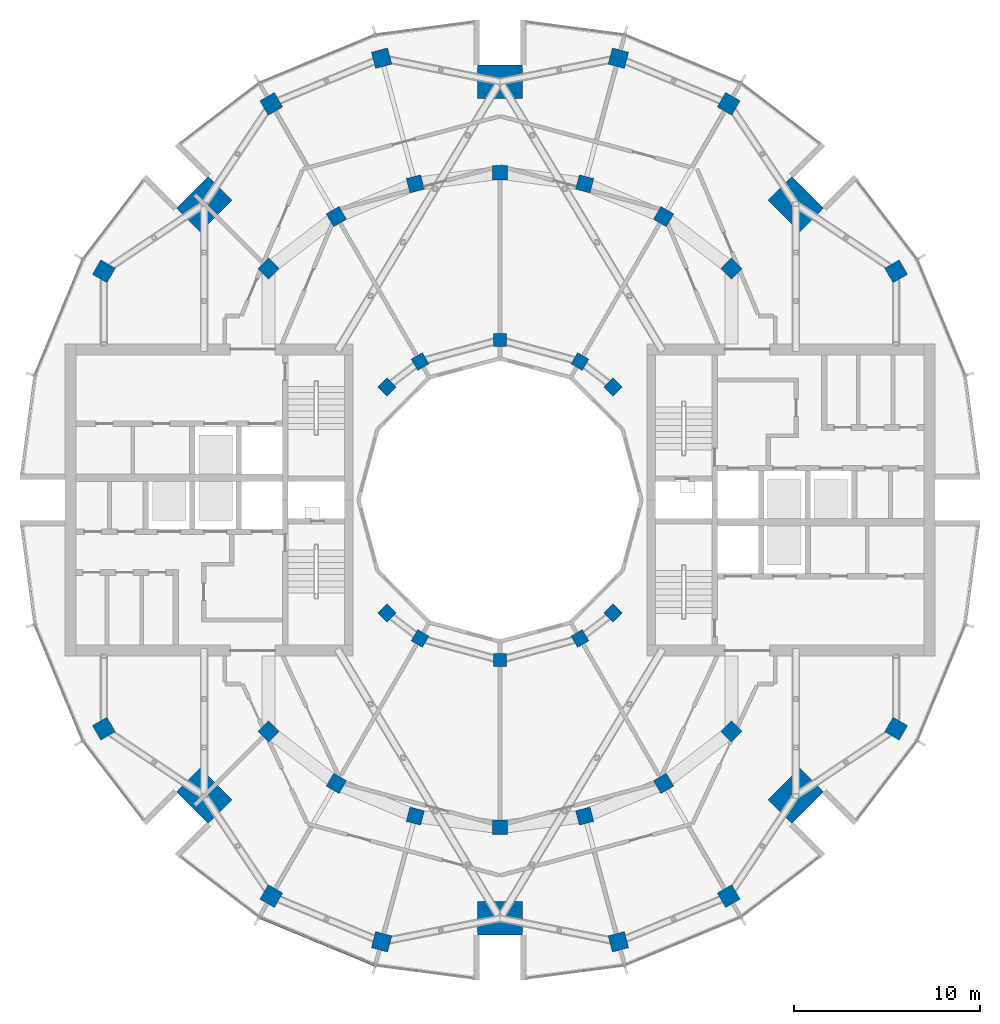
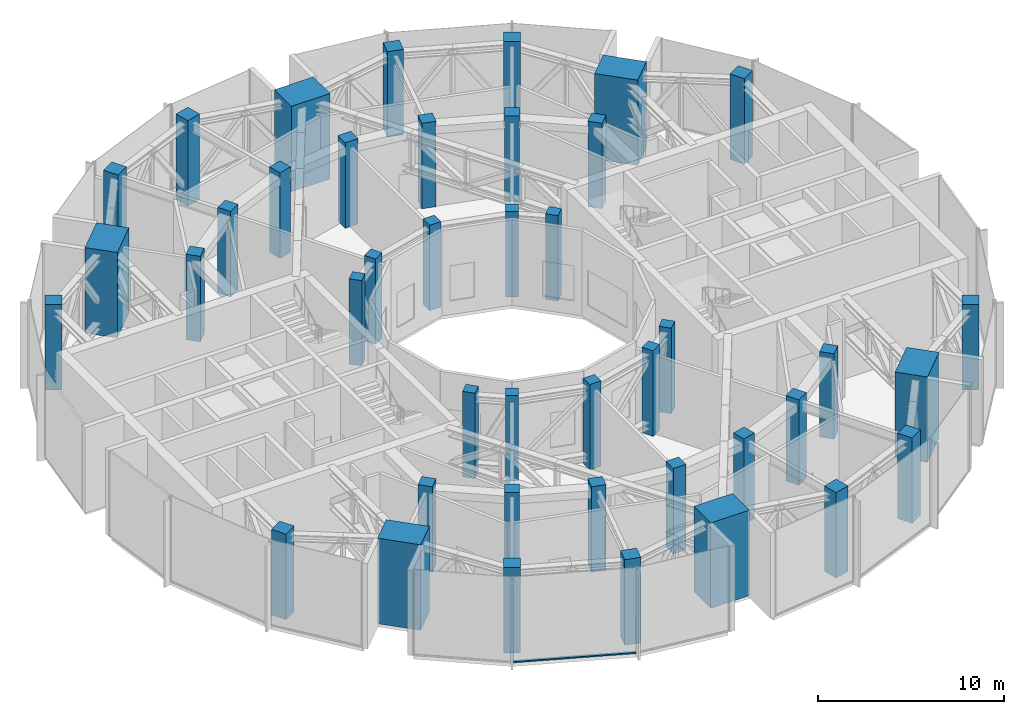
# One storey, part 1 of 18: 42 columns, 1 member, 1 element without a shape of its own.
"""IFC4 building model written with IfcOpenShell, lengths in metres."""

from ifc_helpers import new_model, si_unit, direction, frame, origin, origin_2d, place, context, subcontext, project, spatial, rectangle, extrude, material, layer, layer_set, material_profile, profile_set, type_object, element, aggregate, save


model = new_model("IFC4")

# Units and contexts
model_context = context("Model", 3, precision=1e-05, world=origin(), true_north=direction((0.0, 1.0)))
body_context = subcontext(model_context, "Body", "Model", "MODEL_VIEW")
ifc_project = project(units=[si_unit("LENGTHUNIT", "METRE"), si_unit("AREAUNIT", "SQUARE_METRE"), si_unit("VOLUMEUNIT", "CUBIC_METRE"), si_unit("PLANEANGLEUNIT", "RADIAN"), si_unit("MASSUNIT", "GRAM", prefix="KILO")], contexts=[model_context])

# Site, building, storey
site_placement = place(None, origin())
site = spatial("IfcSite", under=ifc_project, at=site_placement, CompositionType="ELEMENT")
building_placement = place(site_placement, origin())
building = spatial("IfcBuilding", under=site, at=building_placement, Name="Torre Brocal", CompositionType="ELEMENT")
storey_placement = place(building_placement, frame((0.0, 0.0, 206.89990234375)))
storey = spatial("IfcBuildingStorey", under=building, at=storey_placement, Name="L48", CompositionType="ELEMENT", Elevation=206.89990234375)

# Columns
ifc_material_1 = material(Name="Concrete C60", Category="concrete")
ifc_material_profile_1 = material_profile(ifc_material_1, rectangle(XDim=1.800048828125, YDim=2.39990234375, at=origin_2d()), Name="RC 1800X2400")
ifc_profile_set_1 = profile_set([ifc_material_profile_1], Name="Concrete C60")
column_type_1 = type_object("IfcColumnType", Name="RC COLUMN 1800X2400 C60", PredefinedType="COLUMN", material=ifc_profile_set_1)
for number, where, z_axis, x_axis, name in (
    (1, (95.909912109375, 90.909912109375, 0.0), (0.0, 0.0, 1.0), (0.707106781187, 0.707106781187, 0.0), "Column MC-1"),
    (2, (80.0, 97.5, 0.0), (0.0, 0.0, 1.0), (0.0, 1.0, 0.0), "Column MC-2"),
    (3, (64.090087890625, 90.909912109375, 0.0), (0.0, 0.0, 1.0), (-0.707106781187, 0.707106781187, 0.0), "Column MC-3"),
    (4, (64.090087890625, 59.090087890625, 0.0), (0.0, 0.0, 1.0), (-0.707106781187, -0.707106781187, 0.0), "Column MC-5"),
    (5, (80.0, 52.5, 0.0), (0.0, 0.0, 1.0), (0.0, -1.0, 0.0), "Column MC-6"),
    (6, (95.909912109375, 59.090087890625, 0.0), (0.0, 0.0, 1.0), (0.707106781187, -0.707106781187, 0.0), "Column MC-7"),
):
    element("IfcColumn", number, at=place(storey_placement, frame(where, z_axis=z_axis, x_axis=x_axis)), inside=storey, type_object=column_type_1, Name=name, PredefinedType="COLUMN", context=body_context, shape_type="SweptSolid", body=[
        extrude(rectangle(XDim=1.800048828125, YDim=2.39990234375, at=origin_2d()), origin(), (0.0, 0.0, 1.0), 5.60009765625),
    ])
ifc_material_2 = material(Name="Concrete C60", Category="concrete")
ifc_material_profile_2 = material_profile(ifc_material_2, rectangle(XDim=0.699951171875, YDim=0.699951171875, at=origin_2d()), Name="RC 700X700")
ifc_profile_set_2 = profile_set([ifc_material_profile_2], Name="Concrete C60")
column_type_2 = type_object("IfcColumnType", Name="RC COLUMN 700X700 C60", PredefinedType="COLUMN", material=ifc_profile_set_2)
for number, where, z_axis, x_axis, name in (
    (7, (86.0810546875, 81.0810546875, 0.0), (0.0, 0.0, 1.0), (0.707106781187, 0.707106781187, 0.0), "Column C-I03"),
    (8, (84.300048828125, 82.44775390625, 0.0), (0.0, 0.0, 1.0), (0.5, 0.866025403784, 0.0), "Column C-I04"),
    (9, (80.0, 83.60009765625, 0.0), (0.0, 0.0, 1.0), (0.0, 1.0, 0.0), "Column C-I06"),
    (10, (75.699951171875, 82.44775390625, 0.0), (0.0, 0.0, 1.0), (-0.5, 0.866025403784, 0.0), "Column C-I08"),
    (11, (73.9189453125, 81.0810546875, 0.0), (0.0, 0.0, 1.0), (-0.707106781187, 0.707106781187, 0.0), "Column C-I09"),
    (12, (73.9189453125, 68.9189453125, 0.0), (0.0, 0.0, 1.0), (-0.707106781187, -0.707106781187, 0.0), "Column C-I15"),
    (13, (75.699951171875, 67.55224609375, 0.0), (0.0, 0.0, 1.0), (-0.5, -0.866025403784, 0.0), "Column C-I16"),
    (14, (80.0, 66.39990234375, 0.0), (0.0, 0.0, 1.0), (0.0, -1.0, 0.0), "Column C-I18"),
    (15, (84.300048828125, 67.55224609375, 0.0), (0.0, 0.0, 1.0), (0.5, -0.866025403784, 0.0), "Column C-I20"),
    (16, (86.0810546875, 68.9189453125, 0.0), (0.0, 0.0, 1.0), (0.707106781187, -0.707106781187, 0.0), "Column C-I21"),
):
    element("IfcColumn", number, at=place(storey_placement, frame(where, z_axis=z_axis, x_axis=x_axis)), inside=storey, type_object=column_type_2, Name=name, PredefinedType="COLUMN", context=body_context, shape_type="SweptSolid", body=[
        extrude(rectangle(XDim=0.699951171875, YDim=0.699951171875, at=origin_2d()), origin(), (0.0, 0.0, 1.0), 5.60009765625),
    ])
ifc_material_3 = material(Name="Concrete C60", Category="concrete")
ifc_material_profile_3 = material_profile(ifc_material_3, rectangle(XDim=0.800048828125, YDim=0.800048828125, at=origin_2d()), Name="RC 800X800")
ifc_profile_set_3 = profile_set([ifc_material_profile_3], Name="Concrete C60")
column_type_3 = type_object("IfcColumnType", Name="RC COLUMN 800X800 C60", PredefinedType="COLUMN", material=ifc_profile_set_3)
for number, where, z_axis, x_axis, name in (
    (17, (92.445068359375, 87.445068359375, 0.0), (0.0, 0.0, 1.0), (0.707106781187, 0.707106781187, 0.0), "Column C-M03"),
    (18, (88.800048828125, 90.241943359375, 0.0), (0.0, 0.0, 1.0), (0.5, 0.866025403784, 0.0), "Column C-M04"),
    (19, (84.55517578125, 92.000244140625, 0.0), (0.0, 0.0, 1.0), (0.258819045103, 0.965925826289, 0.0), "Column C-M05"),
    (20, (80.0, 92.60009765625, 0.0), (0.0, 0.0, 1.0), (0.0, 1.0, 0.0), "Column C-M06"),
    (21, (75.44482421875, 92.000244140625, 0.0), (0.0, 0.0, 1.0), (-0.258819045103, 0.965925826289, 0.0), "Column C-M07"),
    (22, (71.199951171875, 90.241943359375, 0.0), (0.0, 0.0, 1.0), (-0.5, 0.866025403784, 0.0), "Column C-M08"),
    (23, (67.554931640625, 87.445068359375, 0.0), (0.0, 0.0, 1.0), (-0.707106781187, 0.707106781187, 0.0), "Column C-M09"),
    (24, (67.554931640625, 62.554931640625, 0.0), (0.0, 0.0, 1.0), (-0.707106781187, -0.707106781187, 0.0), "Column C-M15"),
    (25, (71.199951171875, 59.758056640625, 0.0), (0.0, 0.0, 1.0), (-0.5, -0.866025403784, 0.0), "Column C-M16"),
    (26, (75.44482421875, 57.999755859375, 0.0), (0.0, 0.0, 1.0), (-0.258819045103, -0.965925826289, 0.0), "Column C-M17"),
    (27, (80.0, 57.39990234375, 0.0), (0.0, 0.0, 1.0), (0.0, -1.0, 0.0), "Column C-M18"),
    (28, (84.55517578125, 57.999755859375, 0.0), (0.0, 0.0, 1.0), (0.258819045103, -0.965925826289, 0.0), "Column C-M19"),
    (29, (88.800048828125, 59.758056640625, 0.0), (0.0, 0.0, 1.0), (0.5, -0.866025403784, 0.0), "Column C-M20"),
    (30, (92.445068359375, 62.554931640625, 0.0), (0.0, 0.0, 1.0), (0.707106781187, -0.707106781187, 0.0), "Column C-M21"),
):
    element("IfcColumn", number, at=place(storey_placement, frame(where, z_axis=z_axis, x_axis=x_axis)), inside=storey, type_object=column_type_3, Name=name, PredefinedType="COLUMN", context=body_context, shape_type="SweptSolid", body=[
        extrude(rectangle(XDim=0.800048828125, YDim=0.800048828125, at=origin_2d()), origin(), (0.0, 0.0, 1.0), 5.60009765625),
    ])
ifc_material_4 = material(Name="Concrete C60", Category="concrete")
ifc_material_profile_4 = material_profile(ifc_material_4, rectangle(XDim=0.89990234375, YDim=0.89990234375, at=origin_2d()), Name="RC 900X900")
ifc_profile_set_4 = profile_set([ifc_material_profile_4], Name="Concrete C60")
column_type_4 = type_object("IfcColumnType", Name="RC COLUMN 900X900 C60", PredefinedType="COLUMN", material=ifc_profile_set_4)
for number, where, z_axis, x_axis, name in (
    (31, (101.30419921875, 87.300048828125, 0.0), (0.0, 0.0, 1.0), (0.866025403784, 0.5, 0.0), "Column C-O02"),
    (32, (92.300048828125, 96.30419921875, 0.0), (0.0, 0.0, 1.0), (0.5, 0.866025403784, 0.0), "Column C-O04"),
    (33, (86.366943359375, 98.76171875, 0.0), (0.0, 0.0, 1.0), (0.258819045103, 0.965925826289, 0.0), "Column C-O05"),
    (34, (73.633056640625, 98.76171875, 0.0), (0.0, 0.0, 1.0), (-0.258819045103, 0.965925826289, 0.0), "Column C-O07"),
    (35, (67.699951171875, 96.30419921875, 0.0), (0.0, 0.0, 1.0), (-0.5, 0.866025403784, 0.0), "Column C-O08"),
    (36, (58.69580078125, 87.300048828125, 0.0), (0.0, 0.0, 1.0), (-0.866025403784, 0.5, 0.0), "Column C-O10"),
    (37, (58.69580078125, 62.699951171875, 0.0), (0.0, 0.0, 1.0), (-0.866025403784, -0.5, 0.0), "Column C-O14"),
    (38, (67.699951171875, 53.69580078125, 0.0), (0.0, 0.0, 1.0), (-0.5, -0.866025403784, 0.0), "Column C-O16"),
    (39, (73.633056640625, 51.23828125, 0.0), (0.0, 0.0, 1.0), (-0.258819045103, -0.965925826289, 0.0), "Column C-O17"),
    (40, (86.366943359375, 51.23828125, 0.0), (0.0, 0.0, 1.0), (0.258819045103, -0.965925826289, 0.0), "Column C-O19"),
    (41, (92.300048828125, 53.69580078125, 0.0), (0.0, 0.0, 1.0), (0.5, -0.866025403784, 0.0), "Column C-O20"),
    (42, (101.30419921875, 62.699951171875, 0.0), (0.0, 0.0, 1.0), (0.866025403784, -0.5, 0.0), "Column C-O22"),
):
    element("IfcColumn", number, at=place(storey_placement, frame(where, z_axis=z_axis, x_axis=x_axis)), inside=storey, type_object=column_type_4, Name=name, PredefinedType="COLUMN", context=body_context, shape_type="SweptSolid", body=[
        extrude(rectangle(XDim=0.89990234375, YDim=0.89990234375, at=origin_2d()), origin(), (0.0, 0.0, 1.0), 5.60009765625),
    ])

# Curtain wall, member
ifc_material_5 = material(Name="Aluminium and glass", Category="aluminium")
ifc_layer = layer(ifc_material_5, 0.199951171875)
ifc_layer_set = layer_set([ifc_layer], Name="Aluminium and glass")
curtain_wall_type = type_object("IfcCurtainWallType", Name="CW-1 CURTAIN WALL 5600 HIGH", PredefinedType="NOTDEFINED", material=ifc_layer_set)
curtain_wall_placement = place(storey_placement, origin())
curtain_wall = element("IfcCurtainWall", 43, at=curtain_wall_placement, inside=storey, type_object=curtain_wall_type, Name="CW-1 RUN 17", PredefinedType="NOTDEFINED")
ifc_material_6 = material(Name="Aluminium, dark anodised", Category="aluminium")
ifc_material_profile_5 = material_profile(ifc_material_6, rectangle(XDim=0.159912109375, YDim=0.080078125, at=origin_2d()), Name="CW-1 TRANSOM 160X80")
ifc_profile_set_5 = profile_set([ifc_material_profile_5], Name="Aluminium, dark anodised")
member_type = type_object("IfcMemberType", Name="CW-1 TRANSOM 160X80", PredefinedType="USERDEFINED", material=ifc_profile_set_5)
member_placement = place(storey_placement, frame((67.10595703125, 52.547607421875, 0.0400390625), z_axis=(0.923887344364, -0.38266457234, 0.0), x_axis=(0.38266457234, 0.923887344364, 0.0)))
member = element("IfcMember", 44, at=member_placement, type_object=member_type, Name="CW1-2 transom 1.1", ObjectType="TRANSOM", PredefinedType="USERDEFINED", context=body_context, shape_type="SweptSolid", body=[
    extrude(rectangle(XDim=0.159912109375, YDim=0.080078125, at=origin_2d()), origin(), (0.0, 0.0, 1.0), 6.640869140625),
])
aggregate(curtain_wall, [member])

save(model, "model.ifc")
